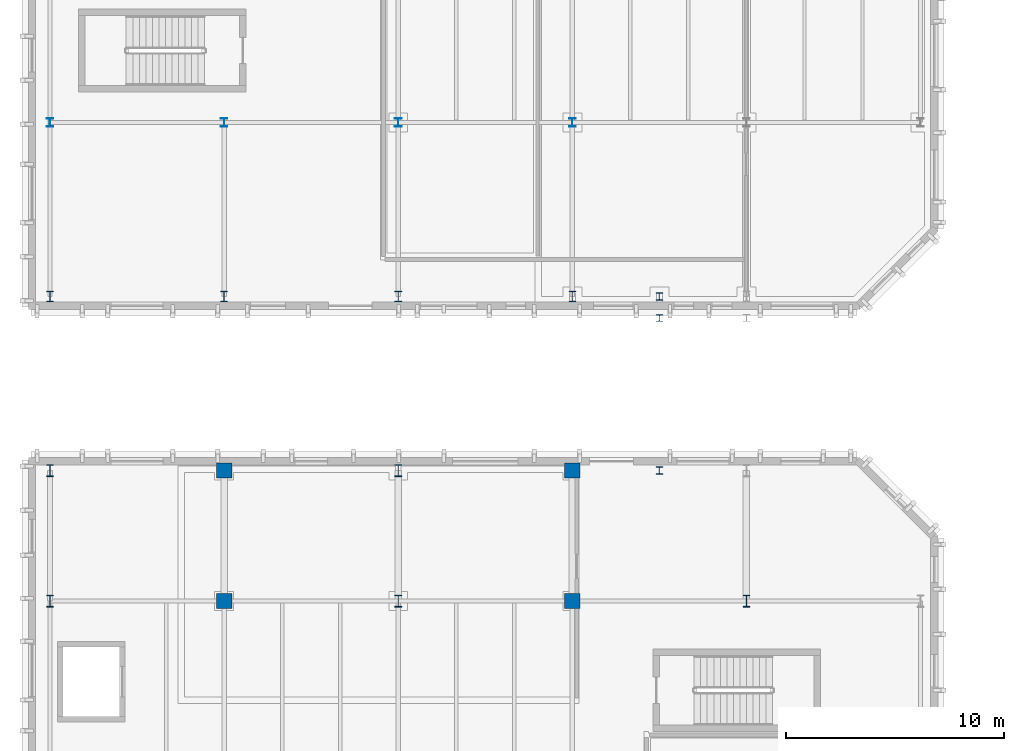
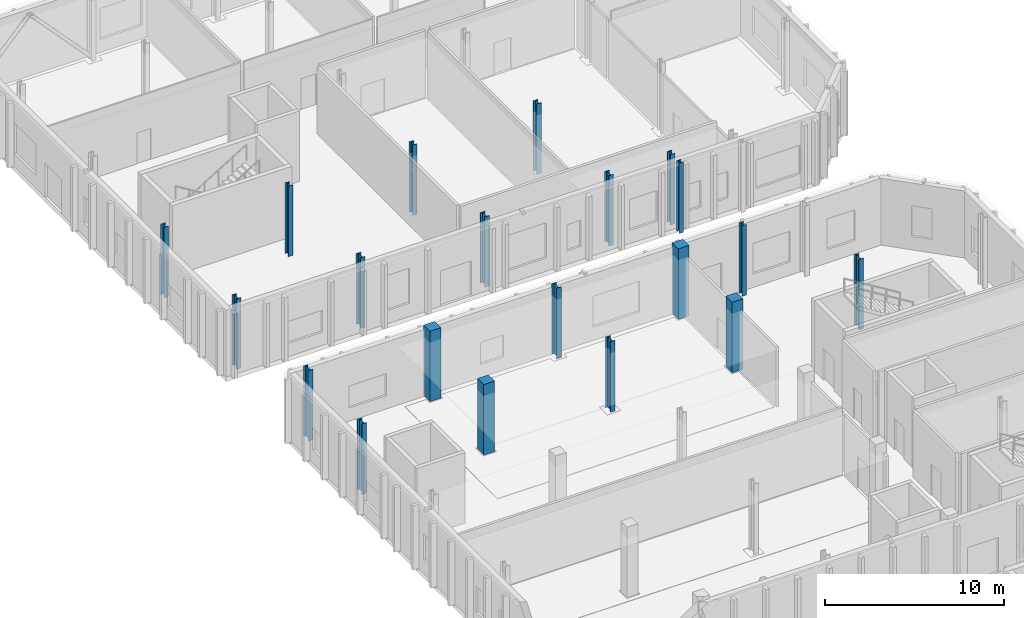
# One storey, part 8 of 60: 20 columns.
"""IFC4 building model written with IfcOpenShell, lengths in metres."""

from ifc_helpers import new_model, si_unit, direction, frame, origin, origin_2d, place, context, subcontext, project, spatial, rectangle, i_section, extrude, material, material_profile, profile_set, type_object, element, save


model = new_model("IFC4")

# Units and contexts
model_context = context("Model", 3, precision=1e-05, world=origin(), true_north=direction((0.0, 1.0)))
body_context = subcontext(model_context, "Body", "Model", "MODEL_VIEW")
ifc_project = project(units=[si_unit("LENGTHUNIT", "METRE"), si_unit("AREAUNIT", "SQUARE_METRE"), si_unit("VOLUMEUNIT", "CUBIC_METRE"), si_unit("PLANEANGLEUNIT", "RADIAN"), si_unit("MASSUNIT", "GRAM", prefix="KILO")], contexts=[model_context])

# Site, building, storey
site_placement = place(None, origin())
site = spatial("IfcSite", under=ifc_project, at=site_placement, CompositionType="ELEMENT")
building_placement = place(site_placement, origin())
building = spatial("IfcBuilding", under=site, at=building_placement, Name="Cymarion Research Institute", CompositionType="ELEMENT")
storey_placement = place(building_placement, origin())
storey = spatial("IfcBuildingStorey", under=building, at=storey_placement, Name="L00", CompositionType="ELEMENT", Elevation=0.0)

# Columns
ifc_material_1 = material(Name="Steel S355", Category="steel")
ifc_material_profile_1 = material_profile(ifc_material_1, i_section(OverallWidth=0.300048828125, OverallDepth=0.550048828125, WebThickness=0.014892578125, FlangeThickness=0.029052734375, FilletRadius=0.027099609375, at=origin_2d()), Name="HEB 550")
ifc_profile_set_1 = profile_set([ifc_material_profile_1], Name="Steel S355")
column_type_1 = type_object("IfcColumnType", Name="STRUCTURAL COLUMN C03 HEB 550", PredefinedType="COLUMN", material=ifc_profile_set_1)
for number, where, z_axis, x_axis, name in (
    (1, (6.60009765625, 71.5, 0.0), (0.0, 0.0, 1.0), (1.0, 0.0, 0.0), "L00 V4 column C03 #240"),
    (2, (6.60009765625, 77.5, 0.0), (0.0, 0.0, 1.0), (1.0, 0.0, 0.0), "L00 V4 column C03 #241"),
    (3, (22.60009765625, 71.5, 0.0), (0.0, 0.0, 1.0), (1.0, 0.0, 0.0), "L00 V4 column C03 #271"),
    (4, (22.60009765625, 77.5, 0.0), (0.0, 0.0, 1.0), (1.0, 0.0, 0.0), "L00 V4 column C03 #272"),
    (5, (38.60009765625, 71.5, 0.0), (0.0, 0.0, 1.0), (1.0, 0.0, 0.0), "L00 V4 column C03 #308"),
):
    element("IfcColumn", number, at=place(storey_placement, frame(where, z_axis=z_axis, x_axis=x_axis)), inside=storey, type_object=column_type_1, Name=name, PredefinedType="COLUMN", context=body_context, shape_type="SweptSolid", body=[
        extrude(i_section(OverallWidth=0.300048828125, OverallDepth=0.550048828125, WebThickness=0.014892578125, FlangeThickness=0.029052734375, FilletRadius=0.027099609375, at=origin_2d()), origin(), (0.0, 0.0, 1.0), 4.800048828125),
    ])
ifc_material_profile_2 = material_profile(ifc_material_1, i_section(OverallWidth=0.300048828125, OverallDepth=0.5, WebThickness=0.014404296875, FlangeThickness=0.028076171875, FilletRadius=0.027099609375, at=origin_2d()), Name="HEB 500")
ifc_profile_set_2 = profile_set([ifc_material_profile_2], Name="Steel S355")
column_type_2 = type_object("IfcColumnType", Name="STRUCTURAL COLUMN C04 HEB 500", PredefinedType="COLUMN", material=ifc_profile_set_2)
for number, where, z_axis, x_axis, name in (
    (6, (6.60009765625, 85.5, 0.0), (0.0, 0.0, 1.0), (1.0, 0.0, 0.0), "L00 V5 column C04 #242"),
    (7, (14.60009765625, 85.5, 0.0), (0.0, 0.0, 1.0), (1.0, 0.0, 0.0), "L00 V5 column C04 #258"),
    (8, (22.60009765625, 85.5, 0.0), (0.0, 0.0, 1.0), (1.0, 0.0, 0.0), "L00 V5 column C04 #273"),
    (9, (30.60009765625, 85.5, 0.0), (0.0, 0.0, 1.0), (1.0, 0.0, 0.0), "L00 V5 column C04 #289"),
):
    element("IfcColumn", number, at=place(storey_placement, frame(where, z_axis=z_axis, x_axis=x_axis)), inside=storey, type_object=column_type_2, Name=name, PredefinedType="COLUMN", context=body_context, shape_type="SweptSolid", body=[
        extrude(i_section(OverallWidth=0.300048828125, OverallDepth=0.5, WebThickness=0.014404296875, FlangeThickness=0.028076171875, FilletRadius=0.027099609375, at=origin_2d()), origin(), (0.0, 0.0, 1.0), 4.800048828125),
    ])
ifc_material_profile_3 = material_profile(ifc_material_1, i_section(OverallWidth=0.300048828125, OverallDepth=0.360107421875, WebThickness=0.012451171875, FlangeThickness=0.0224609375, FilletRadius=0.027099609375, at=origin_2d()), Name="HEB 360")
ifc_profile_set_3 = profile_set([ifc_material_profile_3], Name="Steel S355")
column_type_3 = type_object("IfcColumnType", Name="STRUCTURAL COLUMN C07 HEB 360", PredefinedType="COLUMN", material=ifc_profile_set_3)
for number, where, z_axis, x_axis, name in (
    (10, (34.60009765625, 77.5, 0.0), (0.0, 0.0, 1.0), (1.0, 0.0, 0.0), "L00 V4 column C07 #295"),
    (11, (34.60009765625, 85.5, 0.0), (0.0, 0.0, 1.0), (1.0, 0.0, 0.0), "L00 V5 column C07 #297"),
):
    element("IfcColumn", number, at=place(storey_placement, frame(where, z_axis=z_axis, x_axis=x_axis)), inside=storey, type_object=column_type_3, Name=name, PredefinedType="COLUMN", context=body_context, shape_type="SweptSolid", body=[
        extrude(i_section(OverallWidth=0.300048828125, OverallDepth=0.360107421875, WebThickness=0.012451171875, FlangeThickness=0.0224609375, FilletRadius=0.027099609375, at=origin_2d()), origin(), (0.0, 0.0, 1.0), 4.800048828125),
    ])
ifc_material_profile_4 = material_profile(ifc_material_1, i_section(OverallWidth=0.300048828125, OverallDepth=0.300048828125, WebThickness=0.010986328125, FlangeThickness=0.01904296875, FilletRadius=0.027099609375, at=origin_2d()), Name="HEB 300")
ifc_profile_set_4 = profile_set([ifc_material_profile_4], Name="Steel S355")
column_type_4 = type_object("IfcColumnType", Name="STRUCTURAL COLUMN C08 HEB 300", PredefinedType="COLUMN", material=ifc_profile_set_4)
column_placement = place(storey_placement, frame((34.60009765625, 84.5, 0.0), z_axis=(0.0, 0.0, 1.0), x_axis=(1.0, 0.0, 0.0)))
element("IfcColumn", 12, at=column_placement, inside=storey, type_object=column_type_4, Name="L00 V4 column C08 #296", PredefinedType="COLUMN", context=body_context, shape_type="SweptSolid", body=[
    extrude(i_section(OverallWidth=0.300048828125, OverallDepth=0.300048828125, WebThickness=0.010986328125, FlangeThickness=0.01904296875, FilletRadius=0.027099609375, at=origin_2d()), origin(), (0.0, 0.0, 1.0), 4.800048828125),
])
ifc_material_profile_5 = material_profile(ifc_material_1, i_section(OverallWidth=0.300048828125, OverallDepth=0.389892578125, WebThickness=0.010986328125, FlangeThickness=0.01904296875, FilletRadius=0.027099609375, at=origin_2d()), Name="HEA 400")
ifc_profile_set_5 = profile_set([ifc_material_profile_5], Name="Steel S355")
column_type_5 = type_object("IfcColumnType", Name="STRUCTURAL COLUMN C11 HEA 400", PredefinedType="COLUMN", material=ifc_profile_set_5)
for number, where, z_axis, x_axis, name in (
    (13, (6.60009765625, 93.5, 0.0), (0.0, 0.0, 1.0), (1.0, 0.0, 0.0), "L00 V5 column C11 #243"),
    (14, (14.60009765625, 93.5, 0.0), (0.0, 0.0, 1.0), (1.0, 0.0, 0.0), "L00 V5 column C11 #259"),
    (15, (22.60009765625, 93.5, 0.0), (0.0, 0.0, 1.0), (1.0, 0.0, 0.0), "L00 V5 column C11 #274"),
    (16, (30.60009765625, 93.5, 0.0), (0.0, 0.0, 1.0), (1.0, 0.0, 0.0), "L00 V5 column C11 #290"),
):
    element("IfcColumn", number, at=place(storey_placement, frame(where, z_axis=z_axis, x_axis=x_axis)), inside=storey, type_object=column_type_5, Name=name, PredefinedType="COLUMN", context=body_context, shape_type="SweptSolid", body=[
        extrude(i_section(OverallWidth=0.300048828125, OverallDepth=0.389892578125, WebThickness=0.010986328125, FlangeThickness=0.01904296875, FilletRadius=0.027099609375, at=origin_2d()), origin(), (0.0, 0.0, 1.0), 4.800048828125),
    ])
ifc_material_2 = material(Name="Concrete C40/50", Category="concrete")
ifc_material_profile_6 = material_profile(ifc_material_2, rectangle(XDim=0.699951171875, YDim=0.699951171875, at=origin_2d()), Name="RC 700x700")
ifc_profile_set_6 = profile_set([ifc_material_profile_6], Name="Concrete C40/50")
column_type_6 = type_object("IfcColumnType", Name="STRUCTURAL COLUMN C17 RC 700x700", PredefinedType="COLUMN", material=ifc_profile_set_6)
for number, where, z_axis, x_axis, name in (
    (17, (14.60009765625, 71.5, 0.0), (0.0, 0.0, 1.0), (1.0, 0.0, 0.0), "L00 V4 column C17 #256"),
    (18, (14.60009765625, 77.5, 0.0), (0.0, 0.0, 1.0), (1.0, 0.0, 0.0), "L00 V4 column C17 #257"),
    (19, (30.60009765625, 71.5, 0.0), (0.0, 0.0, 1.0), (1.0, 0.0, 0.0), "L00 V4 column C17 #287"),
    (20, (30.60009765625, 77.5, 0.0), (0.0, 0.0, 1.0), (1.0, 0.0, 0.0), "L00 V4 column C17 #288"),
):
    element("IfcColumn", number, at=place(storey_placement, frame(where, z_axis=z_axis, x_axis=x_axis)), inside=storey, type_object=column_type_6, Name=name, PredefinedType="COLUMN", context=body_context, shape_type="SweptSolid", body=[
        extrude(rectangle(XDim=0.699951171875, YDim=0.699951171875, at=origin_2d()), origin(), (0.0, 0.0, 1.0), 4.800048828125),
    ])

save(model, "model.ifc")
